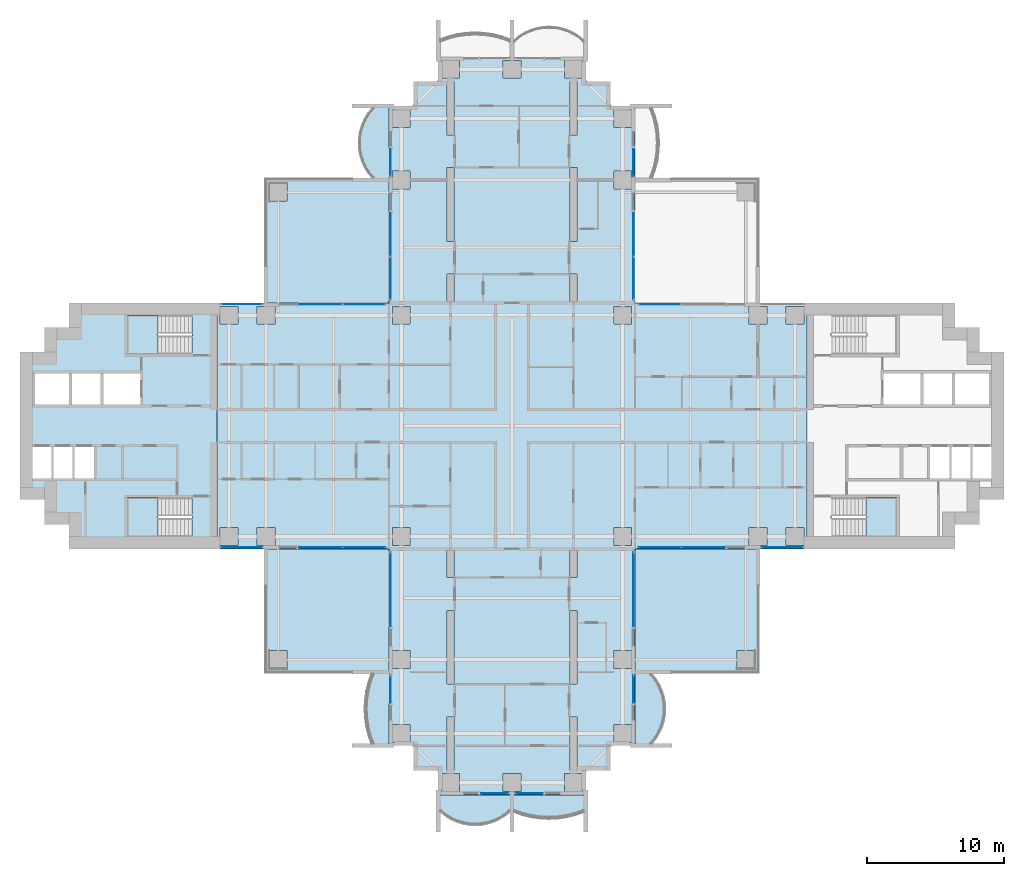
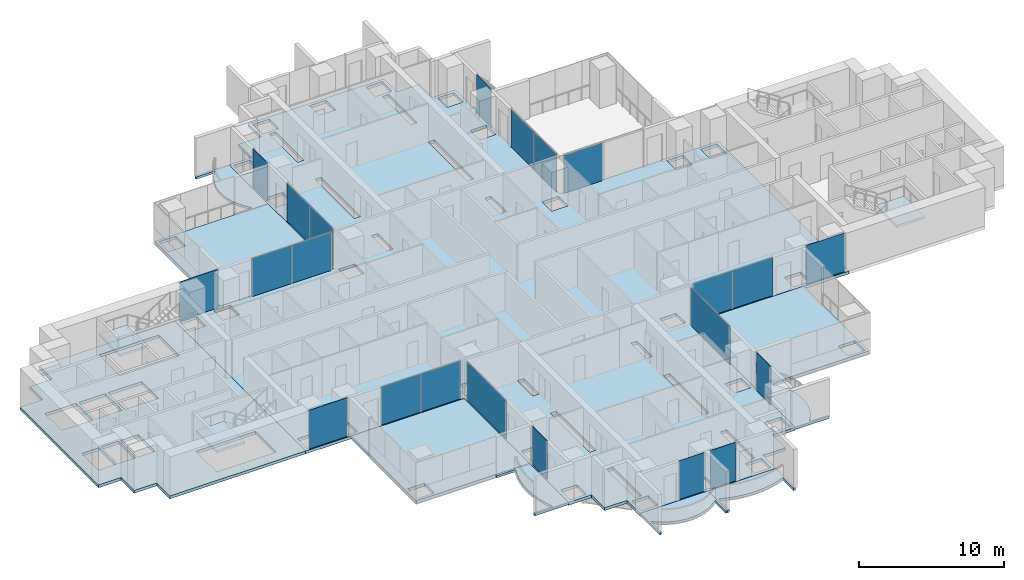
# One storey, part 8 of 20: 22 plates, 13 slabs, 20 elements without a shape of their own.
"""IFC4 building model written with IfcOpenShell, lengths in metres."""

from ifc_helpers import new_model, si_unit, direction, frame, origin, origin_2d, place, context, subcontext, project, spatial, polyline, rectangle, outline, extrude, material, layer, layer_set, type_object, element, aggregate, save


model = new_model("IFC4")

# Units and contexts
model_context = context("Model", 3, precision=1e-05, world=origin(), true_north=direction((0.0, 1.0)))
body_context = subcontext(model_context, "Body", "Model", "MODEL_VIEW")
ifc_project = project(units=[si_unit("LENGTHUNIT", "METRE"), si_unit("AREAUNIT", "SQUARE_METRE"), si_unit("VOLUMEUNIT", "CUBIC_METRE"), si_unit("PLANEANGLEUNIT", "RADIAN"), si_unit("MASSUNIT", "GRAM", prefix="KILO")], contexts=[model_context])

# Site, building, storey
site_placement = place(None, origin())
site = spatial("IfcSite", under=ifc_project, at=site_placement, CompositionType="ELEMENT")
building_placement = place(site_placement, origin())
building = spatial("IfcBuilding", under=site, at=building_placement, Name="Perihelion Cross Residences", CompositionType="ELEMENT")
storey_placement = place(building_placement, frame((0.0, 0.0, 71.5)))
storey = spatial("IfcBuildingStorey", under=building, at=storey_placement, Name="L15", CompositionType="ELEMENT", Elevation=71.5)

# Slabs
ifc_material_1 = material(Name="Concrete C40/50", Category="concrete")
ifc_layer_1 = layer(ifc_material_1, 0.199951171875)
ifc_layer_set_1 = layer_set([ifc_layer_1], Name="Balcony slab 200")
slab_type_1 = type_object("IfcSlabType", Name="Balcony slab 200", PredefinedType="FLOOR", material=ifc_layer_set_1)
slab_1_placement = place(storey_placement, frame((0.0, 0.0, -0.199951171875)))
element("IfcSlab", 1, at=slab_1_placement, inside=storey, type_object=slab_type_1, Name="Slab BK1 L15 north side west bay 1 balcony", PredefinedType="FLOOR", context=body_context, shape_type="SweptSolid", body=[
    extrude(outline(polyline([(-9.0, 23.39990234375), (-9.0, 18.0), (-11.699951171875, 18.0), (-11.699951171875, 18.14990234375), (-10.199951171875, 18.14990234375), (-10.5400390625, 18.574951171875), (-10.792724609375, 19.0), (-10.9765625, 19.425048828125), (-11.1025390625, 19.85009765625), (-11.17578125, 20.27490234375), (-11.199951171875, 20.699951171875), (-11.17578125, 21.125), (-11.1025390625, 21.550048828125), (-10.9765625, 21.97509765625), (-10.792724609375, 22.39990234375), (-10.5400390625, 22.824951171875), (-10.199951171875, 23.25), (-11.699951171875, 23.25), (-11.699951171875, 23.39990234375), (-9.0, 23.39990234375)])), origin(), (0.0, 0.0, 1.0), 0.199951171875),
])
slab_2_placement = place(storey_placement, frame((0.0, 0.0, -0.199951171875)))
element("IfcSlab", 2, at=slab_2_placement, inside=storey, type_object=slab_type_1, Name="Slab BK1 L15 south side west bay 2 balcony", PredefinedType="FLOOR", context=body_context, shape_type="SweptSolid", body=[
    extrude(outline(polyline([(-9.0, -18.0), (-9.0, -23.39990234375), (-11.699951171875, -23.39990234375), (-11.699951171875, -23.25), (-10.199951171875, -23.25), (-10.423583984375, -22.612548828125), (-10.57861328125, -21.97509765625), (-10.669921875, -21.33740234375), (-10.699951171875, -20.699951171875), (-10.669921875, -20.0625), (-10.57861328125, -19.425048828125), (-10.423583984375, -18.78759765625), (-10.199951171875, -18.14990234375), (-11.699951171875, -18.14990234375), (-11.699951171875, -18.0), (-9.0, -18.0)])), origin(), (0.0, 0.0, 1.0), 0.199951171875),
])
slab_3_placement = place(storey_placement, frame((0.0, 0.0, -0.199951171875)))
element("IfcSlab", 3, at=slab_3_placement, inside=storey, type_object=slab_type_1, Name="Slab BK1 L15 south tip south bay 1 balcony", PredefinedType="FLOOR", context=body_context, shape_type="SweptSolid", body=[
    extrude(outline(polyline([(-5.39990234375, -27.0), (0.0, -27.0), (0.0, -29.699951171875), (-0.14990234375, -29.699951171875), (-0.14990234375, -28.199951171875), (-0.574951171875, -28.5400390625), (-1.0, -28.792724609375), (-1.425048828125, -28.9765625), (-1.85009765625, -29.1025390625), (-2.27490234375, -29.17578125), (-2.699951171875, -29.199951171875), (-3.125, -29.17578125), (-3.550048828125, -29.1025390625), (-3.97509765625, -28.9765625), (-4.39990234375, -28.792724609375), (-4.824951171875, -28.5400390625), (-5.25, -28.199951171875), (-5.25, -29.699951171875), (-5.39990234375, -29.699951171875), (-5.39990234375, -27.0)])), origin(), (0.0, 0.0, 1.0), 0.199951171875),
])
slab_4_placement = place(storey_placement, frame((0.0, 0.0, -0.199951171875)))
element("IfcSlab", 4, at=slab_4_placement, inside=storey, type_object=slab_type_1, Name="Slab BK1 L15 south tip south bay 2 balcony", PredefinedType="FLOOR", context=body_context, shape_type="SweptSolid", body=[
    extrude(outline(polyline([(0.0, -27.0), (5.39990234375, -27.0), (5.39990234375, -29.699951171875), (5.25, -29.699951171875), (5.25, -28.199951171875), (4.612548828125, -28.423583984375), (3.97509765625, -28.57861328125), (3.33740234375, -28.669921875), (2.699951171875, -28.699951171875), (2.0625, -28.669921875), (1.425048828125, -28.57861328125), (0.78759765625, -28.423583984375), (0.14990234375, -28.199951171875), (0.14990234375, -29.699951171875), (0.0, -29.699951171875), (0.0, -27.0)])), origin(), (0.0, 0.0, 1.0), 0.199951171875),
])
slab_5_placement = place(storey_placement, frame((0.0, 0.0, -0.199951171875)))
element("IfcSlab", 5, at=slab_5_placement, inside=storey, type_object=slab_type_1, Name="Slab BK1 L15 south side east bay 1 balcony", PredefinedType="FLOOR", context=body_context, shape_type="SweptSolid", body=[
    extrude(outline(polyline([(9.0, -23.39990234375), (9.0, -18.0), (11.699951171875, -18.0), (11.699951171875, -18.14990234375), (10.199951171875, -18.14990234375), (10.5400390625, -18.574951171875), (10.792724609375, -19.0), (10.9765625, -19.425048828125), (11.1025390625, -19.85009765625), (11.17578125, -20.27490234375), (11.199951171875, -20.699951171875), (11.17578125, -21.125), (11.1025390625, -21.550048828125), (10.9765625, -21.97509765625), (10.792724609375, -22.39990234375), (10.5400390625, -22.824951171875), (10.199951171875, -23.25), (11.699951171875, -23.25), (11.699951171875, -23.39990234375), (9.0, -23.39990234375)])), origin(), (0.0, 0.0, 1.0), 0.199951171875),
])

# Curtain wall, plate
ifc_material_2 = material(Name="Bronze anodised aluminium, tinted glazing", Category="aluminium")
curtain_wall_type = type_object("IfcCurtainWallType", Name="CW1", PredefinedType="NOTDEFINED", material=ifc_material_2)
curtain_wall_1_placement = place(storey_placement, origin())
curtain_wall_1 = element("IfcCurtainWall", 6, at=curtain_wall_1_placement, inside=storey, type_object=curtain_wall_type, Name="Curtain wall CW1 L15 east side north bay 2", PredefinedType="NOTDEFINED")
ifc_material_3 = material(Name="Tinted laminated glass", Category="glass")
ifc_layer_2 = layer(ifc_material_3, 0.028076171875)
ifc_layer_set_2 = layer_set([ifc_layer_2], Name="CW1 panel")
plate_type = type_object("IfcPlateType", Name="CW1 panel", PredefinedType="CURTAIN_PANEL", material=ifc_layer_set_2)
plate_1_placement = place(storey_placement, frame((10.802490234375, 8.89990234375, 0.0), z_axis=(0.0, 0.0, 1.0), x_axis=(-1.0, 0.0, 0.0)))
plate_1 = element("IfcPlate", 7, at=plate_1_placement, type_object=plate_type, Name="CW1 panel 2", PredefinedType="CURTAIN_PANEL", context=body_context, shape_type="SweptSolid", body=[
    extrude(rectangle(XDim=3.0849609375, YDim=0.028076171875, at=origin_2d()), origin(), (0.0, 0.0, 1.0), 3.18994140625),
])
aggregate(curtain_wall_1, [plate_1])

# Curtain wall, plates
curtain_wall_2_placement = place(storey_placement, origin())
curtain_wall_2 = element("IfcCurtainWall", 8, at=curtain_wall_2_placement, inside=storey, type_object=curtain_wall_type, Name="Curtain wall CW1 L15 north side east bay 1", PredefinedType="NOTDEFINED")
plate_2_placement = place(storey_placement, frame((8.89990234375, 10.802490234375, 0.0), z_axis=(0.0, 0.0, 1.0), x_axis=(0.0, 1.0, 0.0)))
plate_2 = element("IfcPlate", 9, at=plate_2_placement, type_object=plate_type, Name="CW1 panel 1", PredefinedType="CURTAIN_PANEL", context=body_context, shape_type="SweptSolid", body=[
    extrude(rectangle(XDim=3.0849609375, YDim=0.028076171875, at=origin_2d()), origin(), (0.0, 0.0, 1.0), 3.18994140625),
])
plate_3_placement = place(storey_placement, frame((8.89990234375, 13.9775390625, 0.0), z_axis=(0.0, 0.0, 1.0), x_axis=(0.0, 1.0, 0.0)))
plate_3 = element("IfcPlate", 10, at=plate_3_placement, type_object=plate_type, Name="CW1 panel 2", PredefinedType="CURTAIN_PANEL", context=body_context, shape_type="SweptSolid", body=[
    extrude(rectangle(XDim=3.14501953125, YDim=0.028076171875, at=origin_2d()), origin(), (0.0, 0.0, 1.0), 3.18994140625),
])
aggregate(curtain_wall_2, [plate_2, plate_3])

# Curtain wall, plate
curtain_wall_3_placement = place(storey_placement, origin())
curtain_wall_3 = element("IfcCurtainWall", 11, at=curtain_wall_3_placement, inside=storey, type_object=curtain_wall_type, Name="Curtain wall CW1 L15 north side east bay 2", PredefinedType="NOTDEFINED")
plate_4_placement = place(storey_placement, frame((8.89990234375, 19.2548828125, 0.0), z_axis=(0.0, 0.0, 1.0), x_axis=(0.0, 1.0, 0.0)))
plate_4 = element("IfcPlate", 12, at=plate_4_placement, type_object=plate_type, Name="CW1 panel 1", PredefinedType="CURTAIN_PANEL", context=body_context, shape_type="SweptSolid", body=[
    extrude(rectangle(XDim=1.989990234375, YDim=0.028076171875, at=origin_2d()), origin(), (0.0, 0.0, 1.0), 3.25),
])
aggregate(curtain_wall_3, [plate_4])

curtain_wall_4_placement = place(storey_placement, origin())
curtain_wall_4 = element("IfcCurtainWall", 13, at=curtain_wall_4_placement, inside=storey, type_object=curtain_wall_type, Name="Curtain wall CW1 L15 north side west bay 1", PredefinedType="NOTDEFINED")
plate_5_placement = place(storey_placement, frame((-8.89990234375, 19.2548828125, 0.0), z_axis=(0.0, 0.0, 1.0), x_axis=(0.0, -1.0, 0.0)))
plate_5 = element("IfcPlate", 14, at=plate_5_placement, type_object=plate_type, Name="CW1 panel 1", PredefinedType="CURTAIN_PANEL", context=body_context, shape_type="SweptSolid", body=[
    extrude(rectangle(XDim=1.989990234375, YDim=0.028076171875, at=origin_2d()), origin(), (0.0, 0.0, 1.0), 3.25),
])
aggregate(curtain_wall_4, [plate_5])

# Curtain wall, plates
curtain_wall_5_placement = place(storey_placement, origin())
curtain_wall_5 = element("IfcCurtainWall", 15, at=curtain_wall_5_placement, inside=storey, type_object=curtain_wall_type, Name="Curtain wall CW1 L15 north side west bay 2", PredefinedType="NOTDEFINED")
plate_6_placement = place(storey_placement, frame((-8.89990234375, 13.9775390625, 0.0), z_axis=(0.0, 0.0, 1.0), x_axis=(0.0, -1.0, 0.0)))
plate_6 = element("IfcPlate", 16, at=plate_6_placement, type_object=plate_type, Name="CW1 panel 1", PredefinedType="CURTAIN_PANEL", context=body_context, shape_type="SweptSolid", body=[
    extrude(rectangle(XDim=3.14501953125, YDim=0.028076171875, at=origin_2d()), origin(), (0.0, 0.0, 1.0), 3.18994140625),
])
plate_7_placement = place(storey_placement, frame((-8.89990234375, 10.802490234375, 0.0), z_axis=(0.0, 0.0, 1.0), x_axis=(0.0, -1.0, 0.0)))
plate_7 = element("IfcPlate", 17, at=plate_7_placement, type_object=plate_type, Name="CW1 panel 2", PredefinedType="CURTAIN_PANEL", context=body_context, shape_type="SweptSolid", body=[
    extrude(rectangle(XDim=3.0849609375, YDim=0.028076171875, at=origin_2d()), origin(), (0.0, 0.0, 1.0), 3.18994140625),
])
aggregate(curtain_wall_5, [plate_6, plate_7])

curtain_wall_6_placement = place(storey_placement, origin())
curtain_wall_6 = element("IfcCurtainWall", 18, at=curtain_wall_6_placement, inside=storey, type_object=curtain_wall_type, Name="Curtain wall CW1 L15 west side north bay 1", PredefinedType="NOTDEFINED")
plate_8_placement = place(storey_placement, frame((-10.802490234375, 8.89990234375, 0.0), z_axis=(0.0, 0.0, 1.0), x_axis=(-1.0, 0.0, 0.0)))
plate_8 = element("IfcPlate", 19, at=plate_8_placement, type_object=plate_type, Name="CW1 panel 1", PredefinedType="CURTAIN_PANEL", context=body_context, shape_type="SweptSolid", body=[
    extrude(rectangle(XDim=3.0849609375, YDim=0.028076171875, at=origin_2d()), origin(), (0.0, 0.0, 1.0), 3.18994140625),
])
plate_9_placement = place(storey_placement, frame((-13.9775390625, 8.89990234375, 0.0), z_axis=(0.0, 0.0, 1.0), x_axis=(-1.0, 0.0, 0.0)))
plate_9 = element("IfcPlate", 20, at=plate_9_placement, type_object=plate_type, Name="CW1 panel 2", PredefinedType="CURTAIN_PANEL", context=body_context, shape_type="SweptSolid", body=[
    extrude(rectangle(XDim=3.14501953125, YDim=0.028076171875, at=origin_2d()), origin(), (0.0, 0.0, 1.0), 3.18994140625),
])
aggregate(curtain_wall_6, [plate_8, plate_9])

# Curtain wall, plate
curtain_wall_7_placement = place(storey_placement, origin())
curtain_wall_7 = element("IfcCurtainWall", 21, at=curtain_wall_7_placement, inside=storey, type_object=curtain_wall_type, Name="Curtain wall CW1 L15 west side north bay 2", PredefinedType="NOTDEFINED")
plate_10_placement = place(storey_placement, frame((-19.77490234375, 8.89990234375, 0.0), z_axis=(0.0, 0.0, 1.0), x_axis=(-1.0, 0.0, 0.0)))
plate_10 = element("IfcPlate", 22, at=plate_10_placement, type_object=plate_type, Name="CW1 panel 1", PredefinedType="CURTAIN_PANEL", context=body_context, shape_type="SweptSolid", body=[
    extrude(rectangle(XDim=3.030029296875, YDim=0.028076171875, at=origin_2d()), origin(), (0.0, 0.0, 1.0), 3.25),
])
aggregate(curtain_wall_7, [plate_10])

curtain_wall_8_placement = place(storey_placement, origin())
curtain_wall_8 = element("IfcCurtainWall", 23, at=curtain_wall_8_placement, inside=storey, type_object=curtain_wall_type, Name="Curtain wall CW1 L15 west side south bay 1", PredefinedType="NOTDEFINED")
plate_11_placement = place(storey_placement, frame((-19.77490234375, -8.89990234375, 0.0), z_axis=(0.0, 0.0, 1.0), x_axis=(1.0, 0.0, 0.0)))
plate_11 = element("IfcPlate", 24, at=plate_11_placement, type_object=plate_type, Name="CW1 panel 1", PredefinedType="CURTAIN_PANEL", context=body_context, shape_type="SweptSolid", body=[
    extrude(rectangle(XDim=3.030029296875, YDim=0.028076171875, at=origin_2d()), origin(), (0.0, 0.0, 1.0), 3.25),
])
aggregate(curtain_wall_8, [plate_11])

# Curtain wall, plates
curtain_wall_9_placement = place(storey_placement, origin())
curtain_wall_9 = element("IfcCurtainWall", 25, at=curtain_wall_9_placement, inside=storey, type_object=curtain_wall_type, Name="Curtain wall CW1 L15 west side south bay 2", PredefinedType="NOTDEFINED")
plate_12_placement = place(storey_placement, frame((-13.9775390625, -8.89990234375, 0.0), z_axis=(0.0, 0.0, 1.0), x_axis=(1.0, 0.0, 0.0)))
plate_12 = element("IfcPlate", 26, at=plate_12_placement, type_object=plate_type, Name="CW1 panel 1", PredefinedType="CURTAIN_PANEL", context=body_context, shape_type="SweptSolid", body=[
    extrude(rectangle(XDim=3.14501953125, YDim=0.028076171875, at=origin_2d()), origin(), (0.0, 0.0, 1.0), 3.18994140625),
])
plate_13_placement = place(storey_placement, frame((-10.802490234375, -8.89990234375, 0.0), z_axis=(0.0, 0.0, 1.0), x_axis=(1.0, 0.0, 0.0)))
plate_13 = element("IfcPlate", 27, at=plate_13_placement, type_object=plate_type, Name="CW1 panel 2", PredefinedType="CURTAIN_PANEL", context=body_context, shape_type="SweptSolid", body=[
    extrude(rectangle(XDim=3.0849609375, YDim=0.028076171875, at=origin_2d()), origin(), (0.0, 0.0, 1.0), 3.18994140625),
])
aggregate(curtain_wall_9, [plate_12, plate_13])

# Curtain wall, plate
curtain_wall_10_placement = place(storey_placement, origin())
curtain_wall_10 = element("IfcCurtainWall", 28, at=curtain_wall_10_placement, inside=storey, type_object=curtain_wall_type, Name="Curtain wall CW1 L15 south side west bay 1", PredefinedType="NOTDEFINED")
plate_14_placement = place(storey_placement, frame((-8.89990234375, -11.955078125, 0.0), z_axis=(0.0, 0.0, 1.0), x_axis=(0.0, -1.0, 0.0)))
plate_14 = element("IfcPlate", 29, at=plate_14_placement, type_object=plate_type, Name="CW1 panel 1", PredefinedType="CURTAIN_PANEL", context=body_context, shape_type="SweptSolid", body=[
    extrude(rectangle(XDim=5.389892578125, YDim=0.028076171875, at=origin_2d()), origin(), (0.0, 0.0, 1.0), 3.18994140625),
])
aggregate(curtain_wall_10, [plate_14])

curtain_wall_11_placement = place(storey_placement, origin())
curtain_wall_11 = element("IfcCurtainWall", 30, at=curtain_wall_11_placement, inside=storey, type_object=curtain_wall_type, Name="Curtain wall CW1 L15 south side west bay 2", PredefinedType="NOTDEFINED")
plate_15_placement = place(storey_placement, frame((-8.89990234375, -19.2548828125, 0.0), z_axis=(0.0, 0.0, 1.0), x_axis=(0.0, -1.0, 0.0)))
plate_15 = element("IfcPlate", 31, at=plate_15_placement, type_object=plate_type, Name="CW1 panel 1", PredefinedType="CURTAIN_PANEL", context=body_context, shape_type="SweptSolid", body=[
    extrude(rectangle(XDim=1.989990234375, YDim=0.028076171875, at=origin_2d()), origin(), (0.0, 0.0, 1.0), 3.25),
])
aggregate(curtain_wall_11, [plate_15])

curtain_wall_12_placement = place(storey_placement, origin())
curtain_wall_12 = element("IfcCurtainWall", 32, at=curtain_wall_12_placement, inside=storey, type_object=curtain_wall_type, Name="Curtain wall CW1 L15 south tip south bay 1", PredefinedType="NOTDEFINED")
plate_16_placement = place(storey_placement, frame((-1.2548828125, -26.89990234375, 0.0), z_axis=(0.0, 0.0, 1.0), x_axis=(1.0, 0.0, 0.0)))
plate_16 = element("IfcPlate", 33, at=plate_16_placement, type_object=plate_type, Name="CW1 panel 1", PredefinedType="CURTAIN_PANEL", context=body_context, shape_type="SweptSolid", body=[
    extrude(rectangle(XDim=1.989990234375, YDim=0.028076171875, at=origin_2d()), origin(), (0.0, 0.0, 1.0), 3.25),
])
aggregate(curtain_wall_12, [plate_16])

curtain_wall_13_placement = place(storey_placement, origin())
curtain_wall_13 = element("IfcCurtainWall", 34, at=curtain_wall_13_placement, inside=storey, type_object=curtain_wall_type, Name="Curtain wall CW1 L15 south tip south bay 2", PredefinedType="NOTDEFINED")
plate_17_placement = place(storey_placement, frame((1.2548828125, -26.89990234375, 0.0), z_axis=(0.0, 0.0, 1.0), x_axis=(1.0, 0.0, 0.0)))
plate_17 = element("IfcPlate", 35, at=plate_17_placement, type_object=plate_type, Name="CW1 panel 1", PredefinedType="CURTAIN_PANEL", context=body_context, shape_type="SweptSolid", body=[
    extrude(rectangle(XDim=1.989990234375, YDim=0.028076171875, at=origin_2d()), origin(), (0.0, 0.0, 1.0), 3.25),
])
aggregate(curtain_wall_13, [plate_17])

curtain_wall_14_placement = place(storey_placement, origin())
curtain_wall_14 = element("IfcCurtainWall", 36, at=curtain_wall_14_placement, inside=storey, type_object=curtain_wall_type, Name="Curtain wall CW1 L15 south side east bay 1", PredefinedType="NOTDEFINED")
plate_18_placement = place(storey_placement, frame((8.89990234375, -19.2548828125, 0.0), z_axis=(0.0, 0.0, 1.0), x_axis=(0.0, 1.0, 0.0)))
plate_18 = element("IfcPlate", 37, at=plate_18_placement, type_object=plate_type, Name="CW1 panel 1", PredefinedType="CURTAIN_PANEL", context=body_context, shape_type="SweptSolid", body=[
    extrude(rectangle(XDim=1.989990234375, YDim=0.028076171875, at=origin_2d()), origin(), (0.0, 0.0, 1.0), 3.25),
])
aggregate(curtain_wall_14, [plate_18])

curtain_wall_15_placement = place(storey_placement, origin())
curtain_wall_15 = element("IfcCurtainWall", 38, at=curtain_wall_15_placement, inside=storey, type_object=curtain_wall_type, Name="Curtain wall CW1 L15 south side east bay 2", PredefinedType="NOTDEFINED")
plate_19_placement = place(storey_placement, frame((8.89990234375, -11.955078125, 0.0), z_axis=(0.0, 0.0, 1.0), x_axis=(0.0, 1.0, 0.0)))
plate_19 = element("IfcPlate", 39, at=plate_19_placement, type_object=plate_type, Name="CW1 panel 1", PredefinedType="CURTAIN_PANEL", context=body_context, shape_type="SweptSolid", body=[
    extrude(rectangle(XDim=5.389892578125, YDim=0.028076171875, at=origin_2d()), origin(), (0.0, 0.0, 1.0), 3.18994140625),
])
aggregate(curtain_wall_15, [plate_19])

# Curtain wall, plates
curtain_wall_16_placement = place(storey_placement, origin())
curtain_wall_16 = element("IfcCurtainWall", 40, at=curtain_wall_16_placement, inside=storey, type_object=curtain_wall_type, Name="Curtain wall CW1 L15 east side south bay 1", PredefinedType="NOTDEFINED")
plate_20_placement = place(storey_placement, frame((10.802490234375, -8.89990234375, 0.0), z_axis=(0.0, 0.0, 1.0), x_axis=(1.0, 0.0, 0.0)))
plate_20 = element("IfcPlate", 41, at=plate_20_placement, type_object=plate_type, Name="CW1 panel 1", PredefinedType="CURTAIN_PANEL", context=body_context, shape_type="SweptSolid", body=[
    extrude(rectangle(XDim=3.0849609375, YDim=0.028076171875, at=origin_2d()), origin(), (0.0, 0.0, 1.0), 3.18994140625),
])
plate_21_placement = place(storey_placement, frame((13.9775390625, -8.89990234375, 0.0), z_axis=(0.0, 0.0, 1.0), x_axis=(1.0, 0.0, 0.0)))
plate_21 = element("IfcPlate", 42, at=plate_21_placement, type_object=plate_type, Name="CW1 panel 2", PredefinedType="CURTAIN_PANEL", context=body_context, shape_type="SweptSolid", body=[
    extrude(rectangle(XDim=3.14501953125, YDim=0.028076171875, at=origin_2d()), origin(), (0.0, 0.0, 1.0), 3.18994140625),
])
aggregate(curtain_wall_16, [plate_20, plate_21])

# Curtain wall, plate
curtain_wall_17_placement = place(storey_placement, origin())
curtain_wall_17 = element("IfcCurtainWall", 43, at=curtain_wall_17_placement, inside=storey, type_object=curtain_wall_type, Name="Curtain wall CW1 L15 east side south bay 2", PredefinedType="NOTDEFINED")
plate_22_placement = place(storey_placement, frame((19.77490234375, -8.89990234375, 0.0), z_axis=(0.0, 0.0, 1.0), x_axis=(1.0, 0.0, 0.0)))
plate_22 = element("IfcPlate", 44, at=plate_22_placement, type_object=plate_type, Name="CW1 panel 1", PredefinedType="CURTAIN_PANEL", context=body_context, shape_type="SweptSolid", body=[
    extrude(rectangle(XDim=3.030029296875, YDim=0.028076171875, at=origin_2d()), origin(), (0.0, 0.0, 1.0), 3.25),
])
aggregate(curtain_wall_17, [plate_22])

# Slabs
ifc_material_4 = material(Name="Concrete C40/50", Category="concrete")
ifc_layer_3 = layer(ifc_material_4, 0.25)
ifc_layer_set_3 = layer_set([ifc_layer_3], Name="Core floor slab 250")
slab_type_2 = type_object("IfcSlabType", Name="Core floor slab 250", PredefinedType="FLOOR", material=ifc_layer_set_3)
slab_6_placement = place(storey_placement, frame((0.0, 0.0, -0.25)))
element("IfcSlab", 45, at=slab_6_placement, inside=storey, type_object=slab_type_2, Name="West core floor slab", PredefinedType="FLOOR", context=body_context, shape_type="SweptSolid", body=[
    extrude(outline(polyline([(-32.39990234375, 7.199951171875), (-34.199951171875, 7.199951171875), (-34.199951171875, 5.39990234375), (-36.0, 5.39990234375), (-36.0, -5.39990234375), (-34.199951171875, -5.39990234375), (-34.199951171875, -7.199951171875), (-32.39990234375, -7.199951171875), (-32.39990234375, -9.0), (-21.60009765625, -9.0), (-21.60009765625, 9.0), (-32.39990234375, 9.0), (-32.39990234375, 7.199951171875)]), holes=[polyline([(-23.405029296875, -8.10009765625), (-28.14990234375, -8.10009765625), (-28.14990234375, -5.25), (-23.405029296875, -5.25), (-23.405029296875, -8.10009765625)]), polyline([(-30.60009765625, -1.550048828125), (-30.60009765625, -3.85009765625), (-32.0, -3.85009765625), (-32.0, -1.550048828125), (-30.60009765625, -1.550048828125)]), polyline([(-32.14990234375, -1.550048828125), (-32.14990234375, -3.85009765625), (-33.550048828125, -3.85009765625), (-33.550048828125, -1.550048828125), (-32.14990234375, -1.550048828125)]), polyline([(-33.699951171875, -1.550048828125), (-33.699951171875, -3.85009765625), (-35.10009765625, -3.85009765625), (-35.10009765625, -1.550048828125), (-33.699951171875, -1.550048828125)]), polyline([(-27.199951171875, 3.85009765625), (-27.199951171875, 1.550048828125), (-29.89990234375, 1.550048828125), (-29.89990234375, 3.85009765625), (-27.199951171875, 3.85009765625)]), polyline([(-30.10009765625, 3.85009765625), (-30.10009765625, 1.550048828125), (-32.199951171875, 1.550048828125), (-32.199951171875, 3.85009765625), (-30.10009765625, 3.85009765625)]), polyline([(-32.39990234375, 3.85009765625), (-32.39990234375, 1.550048828125), (-34.89990234375, 1.550048828125), (-34.89990234375, 3.85009765625), (-32.39990234375, 3.85009765625)]), polyline([(-23.405029296875, 5.25), (-28.14990234375, 5.25), (-28.14990234375, 8.10009765625), (-23.405029296875, 8.10009765625), (-23.405029296875, 5.25)])]), origin(), (0.0, 0.0, 1.0), 0.25),
])
ifc_material_5 = material(Name="Concrete C40/50", Category="concrete")
ifc_layer_4 = layer(ifc_material_5, 0.25)
ifc_layer_set_4 = layer_set([ifc_layer_4], Name="Corner terrace slab")
slab_type_3 = type_object("IfcSlabType", Name="Corner terrace slab", PredefinedType="FLOOR", material=ifc_layer_set_4)
slab_7_placement = place(storey_placement, frame((0.0, 0.0, -0.25)))
element("IfcSlab", 46, at=slab_7_placement, inside=storey, type_object=slab_type_3, Name="Slab BK2 L15 pocket north-west", PredefinedType="FLOOR", context=body_context, shape_type="SweptSolid", body=[
    extrude(outline(polyline([(-9.0, 9.0), (-9.0, 18.0), (-18.0, 18.0), (-18.0, 9.0), (-9.0, 9.0)]), holes=[polyline([(-17.7900390625, 16.409912109375), (-17.7900390625, 17.7900390625), (-16.449951171875, 17.7900390625), (-16.449951171875, 16.449951171875), (-17.75, 16.449951171875), (-17.75, 16.409912109375), (-17.7900390625, 16.409912109375)])]), origin(), (0.0, 0.0, 1.0), 0.25),
])
slab_8_placement = place(storey_placement, frame((0.0, 0.0, -0.25)))
element("IfcSlab", 47, at=slab_8_placement, inside=storey, type_object=slab_type_3, Name="Slab BK2 L15 pocket south-west", PredefinedType="FLOOR", context=body_context, shape_type="SweptSolid", body=[
    extrude(outline(polyline([(-9.0, -18.0), (-9.0, -9.0), (-18.0, -9.0), (-18.0, -18.0), (-9.0, -18.0)]), holes=[polyline([(-17.7900390625, -16.409912109375), (-17.75, -16.409912109375), (-17.75, -16.449951171875), (-16.449951171875, -16.449951171875), (-16.449951171875, -17.7900390625), (-17.7900390625, -17.7900390625), (-17.7900390625, -16.409912109375)])]), origin(), (0.0, 0.0, 1.0), 0.25),
])
slab_9_placement = place(storey_placement, frame((0.0, 0.0, -0.25)))
element("IfcSlab", 48, at=slab_9_placement, inside=storey, type_object=slab_type_3, Name="Slab BK2 L15 pocket south-east", PredefinedType="FLOOR", context=body_context, shape_type="SweptSolid", body=[
    extrude(outline(polyline([(18.0, -18.0), (18.0, -9.0), (9.0, -9.0), (9.0, -18.0), (18.0, -18.0)]), holes=[polyline([(16.449951171875, -17.7900390625), (16.449951171875, -16.449951171875), (17.75, -16.449951171875), (17.75, -16.409912109375), (17.7900390625, -16.409912109375), (17.7900390625, -17.7900390625), (16.449951171875, -17.7900390625)])]), origin(), (0.0, 0.0, 1.0), 0.25),
])

# Stair, slab
ifc_material_6 = material(Name="Concrete C40/50", Category="concrete")
stair_type = type_object("IfcStairType", Name="Exit stair, half-turn", PredefinedType="HALF_TURN_STAIR", material=ifc_material_6)
stair_1_placement = place(storey_placement, origin())
stair_1 = element("IfcStair", 49, at=stair_1_placement, inside=storey, type_object=stair_type, Name="L15 East core exit stair 2", PredefinedType="HALF_TURN_STAIR")
ifc_material_7 = material(Name="Concrete C40/50", Category="concrete")
ifc_layer_5 = layer(ifc_material_7, 0.199951171875)
ifc_layer_set_5 = layer_set([ifc_layer_5], Name="Exit stair landing 200")
slab_type_4 = type_object("IfcSlabType", Name="Exit stair landing 200", PredefinedType="LANDING", material=ifc_layer_set_5)
slab_10_placement = place(storey_placement, frame((0.0, 0.0, 1.550048828125)))
slab_10 = element("IfcSlab", 50, at=slab_10_placement, type_object=slab_type_4, Name="ST-E2 landing 1", PredefinedType="LANDING", context=body_context, shape_type="SweptSolid", body=[
    extrude(outline(polyline([(25.919921875, -8.10009765625), (28.14990234375, -8.10009765625), (28.14990234375, -5.25), (25.919921875, -5.25), (25.919921875, -8.10009765625)])), origin(), (0.0, 0.0, 1.0), 0.199951171875),
])
aggregate(stair_1, [slab_10])

stair_2_placement = place(storey_placement, origin())
stair_2 = element("IfcStair", 51, at=stair_2_placement, inside=storey, type_object=stair_type, Name="L15 West core exit stair 1", PredefinedType="HALF_TURN_STAIR")
slab_11_placement = place(storey_placement, frame((0.0, 0.0, 1.550048828125)))
slab_11 = element("IfcSlab", 52, at=slab_11_placement, type_object=slab_type_4, Name="ST-W1 landing 1", PredefinedType="LANDING", context=body_context, shape_type="SweptSolid", body=[
    extrude(outline(polyline([(-25.919921875, 8.10009765625), (-28.14990234375, 8.10009765625), (-28.14990234375, 5.25), (-25.919921875, 5.25), (-25.919921875, 8.10009765625)])), origin(), (0.0, 0.0, 1.0), 0.199951171875),
])
aggregate(stair_2, [slab_11])

stair_3_placement = place(storey_placement, origin())
stair_3 = element("IfcStair", 53, at=stair_3_placement, inside=storey, type_object=stair_type, Name="L15 West core exit stair 2", PredefinedType="HALF_TURN_STAIR")
slab_12_placement = place(storey_placement, frame((0.0, 0.0, 1.550048828125)))
slab_12 = element("IfcSlab", 54, at=slab_12_placement, type_object=slab_type_4, Name="ST-W2 landing 1", PredefinedType="LANDING", context=body_context, shape_type="SweptSolid", body=[
    extrude(outline(polyline([(-25.919921875, -5.25), (-28.14990234375, -5.25), (-28.14990234375, -8.10009765625), (-25.919921875, -8.10009765625), (-25.919921875, -5.25)])), origin(), (0.0, 0.0, 1.0), 0.199951171875),
])
aggregate(stair_3, [slab_12])

# Slab
ifc_material_8 = material(Name="Concrete C50/60", Category="concrete")
ifc_layer_6 = layer(ifc_material_8, 0.25)
ifc_layer_set_6 = layer_set([ifc_layer_6], Name="Residential floor post-tensioned slab concrete C50/60")
slab_type_5 = type_object("IfcSlabType", Name="Residential floor post-tensioned slab concrete C50/60", PredefinedType="FLOOR", material=ifc_layer_set_6)
slab_13_placement = place(storey_placement, frame((0.0, 0.0, -0.25)))
element("IfcSlab", 55, at=slab_13_placement, inside=storey, type_object=slab_type_5, Name="Slab SL8 L15 1 no. 1", PredefinedType="FLOOR", context=body_context, shape_type="SweptSolid", body=[
    extrude(outline(polyline([(-9.0, 9.0), (-9.0, 23.39990234375), (-7.199951171875, 23.39990234375), (-7.199951171875, 25.199951171875), (-5.39990234375, 25.199951171875), (-5.39990234375, 27.0), (5.39990234375, 27.0), (5.39990234375, 25.199951171875), (7.199951171875, 25.199951171875), (7.199951171875, 23.39990234375), (9.0, 23.39990234375), (9.0, 9.0), (21.60009765625, 9.0), (21.60009765625, -9.0), (9.0, -9.0), (9.0, -23.39990234375), (7.199951171875, -23.39990234375), (7.199951171875, -25.199951171875), (5.39990234375, -25.199951171875), (5.39990234375, -27.0), (-5.39990234375, -27.0), (-5.39990234375, -25.199951171875), (-7.199951171875, -25.199951171875), (-7.199951171875, -23.39990234375), (-9.0, -23.39990234375), (-9.0, -9.0), (-21.60009765625, -9.0), (-21.60009765625, 9.0), (-9.0, 9.0)]), holes=[polyline([(0.64990234375, -26.75), (0.64990234375, -25.449951171875), (-0.64990234375, -25.449951171875), (-0.64990234375, -26.75), (0.64990234375, -26.75)]), polyline([(-3.85009765625, -26.75), (-3.85009765625, -25.449951171875), (-5.14990234375, -25.449951171875), (-5.14990234375, -26.75), (-3.85009765625, -26.75)]), polyline([(-4.25, -25.199951171875), (-4.25, -21.300048828125), (-4.75, -21.300048828125), (-4.75, -25.199951171875), (-4.25, -25.199951171875)]), polyline([(-8.75, -23.14990234375), (-7.449951171875, -23.14990234375), (-7.449951171875, -21.85009765625), (-8.75, -21.85009765625), (-8.75, -23.14990234375)]), polyline([(-8.75, -17.75), (-7.449951171875, -17.75), (-7.449951171875, -16.449951171875), (-8.75, -16.449951171875), (-8.75, -17.75)]), polyline([(-4.25, -18.89990234375), (-4.25, -13.5), (-4.75, -13.5), (-4.75, -18.89990234375), (-4.25, -18.89990234375)]), polyline([(-4.25, -11.10009765625), (-4.25, -9.0), (-4.75, -9.0), (-4.75, -11.10009765625), (-4.25, -11.10009765625)]), polyline([(-7.449951171875, -8.75), (-7.449951171875, -7.449951171875), (-8.75, -7.449951171875), (-8.75, -8.75), (-7.449951171875, -8.75)]), polyline([(-18.64990234375, -8.75), (-17.35009765625, -8.75), (-17.35009765625, -7.449951171875), (-18.64990234375, -7.449951171875), (-18.64990234375, -8.75)]), polyline([(-21.35009765625, -8.75), (-20.050048828125, -8.75), (-20.050048828125, -7.449951171875), (-21.35009765625, -7.449951171875), (-21.35009765625, -8.75)]), polyline([(-17.35009765625, 7.449951171875), (-17.35009765625, 8.75), (-18.64990234375, 8.75), (-18.64990234375, 7.449951171875), (-17.35009765625, 7.449951171875)]), polyline([(-7.449951171875, 7.449951171875), (-7.449951171875, 8.75), (-8.75, 8.75), (-8.75, 7.449951171875), (-7.449951171875, 7.449951171875)]), polyline([(-21.35009765625, 7.449951171875), (-20.050048828125, 7.449951171875), (-20.050048828125, 8.75), (-21.35009765625, 8.75), (-21.35009765625, 7.449951171875)]), polyline([(-4.75, 9.0), (-4.25, 9.0), (-4.25, 11.10009765625), (-4.75, 11.10009765625), (-4.75, 9.0)]), polyline([(-4.25, 13.5), (-4.25, 18.89990234375), (-4.75, 18.89990234375), (-4.75, 13.5), (-4.25, 13.5)]), polyline([(-7.449951171875, 17.35009765625), (-7.449951171875, 18.64990234375), (-8.75, 18.64990234375), (-8.75, 17.35009765625), (-7.449951171875, 17.35009765625)]), polyline([(-7.449951171875, 21.85009765625), (-7.449951171875, 23.14990234375), (-8.75, 23.14990234375), (-8.75, 21.85009765625), (-7.449951171875, 21.85009765625)]), polyline([(-4.75, 21.300048828125), (-4.25, 21.300048828125), (-4.25, 25.199951171875), (-4.75, 25.199951171875), (-4.75, 21.300048828125)]), polyline([(-5.14990234375, 25.449951171875), (-3.85009765625, 25.449951171875), (-3.85009765625, 26.75), (-5.14990234375, 26.75), (-5.14990234375, 25.449951171875)]), polyline([(5.14990234375, -26.75), (5.14990234375, -25.449951171875), (3.85009765625, -25.449951171875), (3.85009765625, -26.75), (5.14990234375, -26.75)]), polyline([(4.75, -25.199951171875), (4.75, -21.300048828125), (4.25, -21.300048828125), (4.25, -25.199951171875), (4.75, -25.199951171875)]), polyline([(8.75, -23.14990234375), (8.75, -21.85009765625), (7.449951171875, -21.85009765625), (7.449951171875, -23.14990234375), (8.75, -23.14990234375)]), polyline([(7.449951171875, -17.75), (8.75, -17.75), (8.75, -16.449951171875), (7.449951171875, -16.449951171875), (7.449951171875, -17.75)]), polyline([(4.25, -18.89990234375), (4.75, -18.89990234375), (4.75, -13.5), (4.25, -13.5), (4.25, -18.89990234375)]), polyline([(4.75, -11.10009765625), (4.75, -9.0), (4.25, -9.0), (4.25, -11.10009765625), (4.75, -11.10009765625)]), polyline([(18.64990234375, -8.75), (18.64990234375, -7.449951171875), (17.35009765625, -7.449951171875), (17.35009765625, -8.75), (18.64990234375, -8.75)]), polyline([(21.35009765625, -8.75), (21.35009765625, -7.449951171875), (20.050048828125, -7.449951171875), (20.050048828125, -8.75), (21.35009765625, -8.75)]), polyline([(7.449951171875, -8.75), (8.75, -8.75), (8.75, -7.449951171875), (7.449951171875, -7.449951171875), (7.449951171875, -8.75)]), polyline([(21.35009765625, 7.449951171875), (21.35009765625, 8.75), (20.050048828125, 8.75), (20.050048828125, 7.449951171875), (21.35009765625, 7.449951171875)]), polyline([(8.75, 7.449951171875), (8.75, 8.75), (7.449951171875, 8.75), (7.449951171875, 7.449951171875), (8.75, 7.449951171875)]), polyline([(18.64990234375, 7.449951171875), (18.64990234375, 8.75), (17.35009765625, 8.75), (17.35009765625, 7.449951171875), (18.64990234375, 7.449951171875)]), polyline([(4.25, 9.0), (4.75, 9.0), (4.75, 11.10009765625), (4.25, 11.10009765625), (4.25, 9.0)]), polyline([(4.25, 13.5), (4.75, 13.5), (4.75, 18.89990234375), (4.25, 18.89990234375), (4.25, 13.5)]), polyline([(8.75, 17.35009765625), (8.75, 18.64990234375), (7.449951171875, 18.64990234375), (7.449951171875, 17.35009765625), (8.75, 17.35009765625)]), polyline([(8.75, 21.85009765625), (8.75, 23.14990234375), (7.449951171875, 23.14990234375), (7.449951171875, 21.85009765625), (8.75, 21.85009765625)]), polyline([(4.75, 21.300048828125), (4.75, 25.199951171875), (4.25, 25.199951171875), (4.25, 21.300048828125), (4.75, 21.300048828125)]), polyline([(-0.64990234375, 25.449951171875), (0.64990234375, 25.449951171875), (0.64990234375, 26.75), (-0.64990234375, 26.75), (-0.64990234375, 25.449951171875)]), polyline([(3.85009765625, 25.449951171875), (5.14990234375, 25.449951171875), (5.14990234375, 26.75), (3.85009765625, 26.75), (3.85009765625, 25.449951171875)])]), origin(), (0.0, 0.0, 1.0), 0.25),
])

save(model, "model.ifc")
